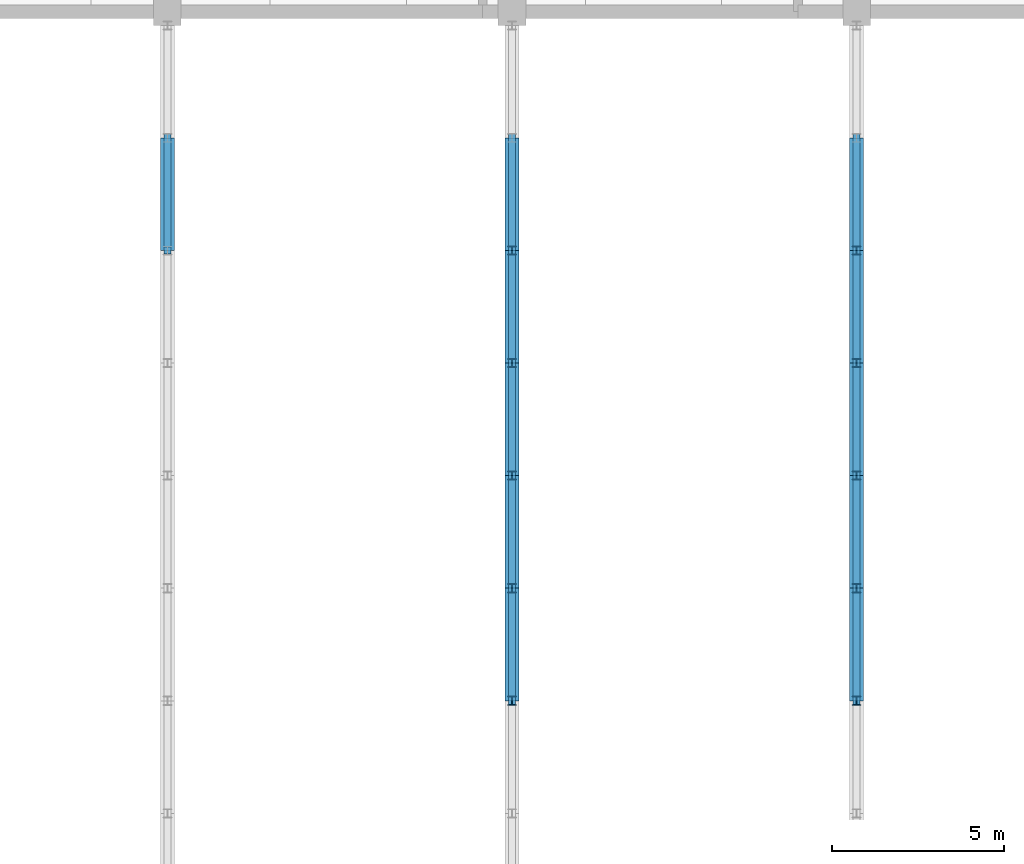
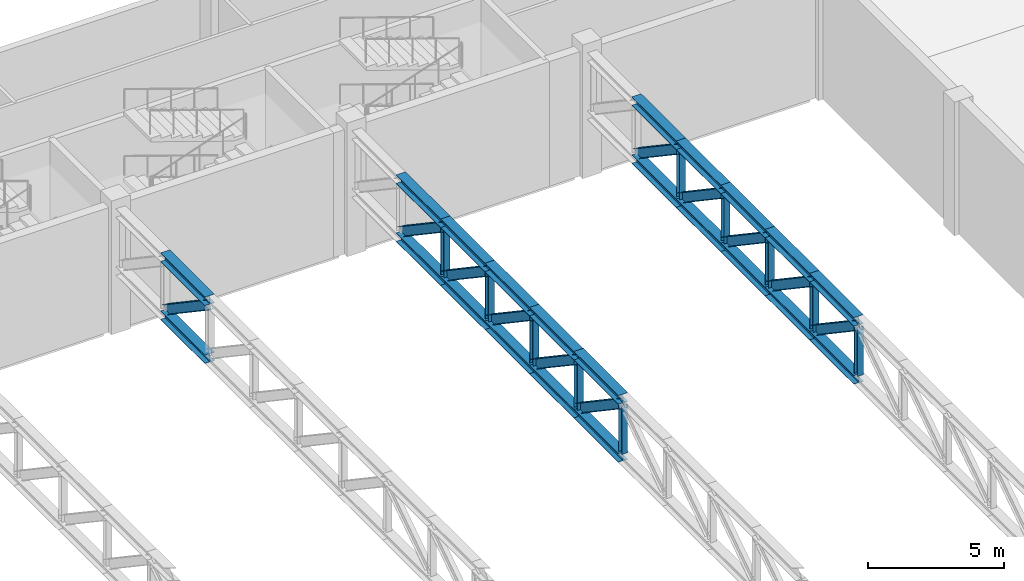
# One storey, part 20 of 51: 43 members.
"""IFC4 building model written with IfcOpenShell, lengths in metres."""

from ifc_helpers import new_model, si_unit, direction, frame, origin, origin_2d, place, context, subcontext, project, spatial, i_section, extrude, material, material_profile, profile_set, type_object, element, save


model = new_model("IFC4")

# Units and contexts
model_context = context("Model", 3, precision=1e-05, world=origin(), true_north=direction((0.0, 1.0)))
body_context = subcontext(model_context, "Body", "Model", "MODEL_VIEW")
ifc_project = project(units=[si_unit("LENGTHUNIT", "METRE"), si_unit("AREAUNIT", "SQUARE_METRE"), si_unit("VOLUMEUNIT", "CUBIC_METRE"), si_unit("PLANEANGLEUNIT", "RADIAN"), si_unit("MASSUNIT", "GRAM", prefix="KILO")], contexts=[model_context])

# Site, building, storey
site_placement = place(None, origin())
site = spatial("IfcSite", under=ifc_project, at=site_placement, CompositionType="ELEMENT")
building_placement = place(site_placement, origin())
building = spatial("IfcBuilding", under=site, at=building_placement, Name="Jabali Bay Hotel Tower and Convention Centre", CompositionType="ELEMENT")
storey_placement = place(building_placement, frame((0.0, 0.0, 9.0)))
storey = spatial("IfcBuildingStorey", under=building, at=storey_placement, Name="L01", CompositionType="ELEMENT", Elevation=9.0)

# Members
ifc_material = material(Name="Steel Q355B", Category="steel")
ifc_material_profile_1 = material_profile(ifc_material, i_section(OverallWidth=0.39990234375, OverallDepth=0.39990234375, WebThickness=0.012939453125, FlangeThickness=0.02099609375, at=origin_2d()), Name="HW400x400x13x21")
ifc_profile_set_1 = profile_set([ifc_material_profile_1], Name="Steel Q355B")
member_type_1 = type_object("IfcMemberType", Name="CC Floor Truss Chord HW400x400x13x21", PredefinedType="CHORD", material=ifc_profile_set_1)
for number, where, z_axis, x_axis, name in (
    (1, (190.699951171875, 93.066650390625, 5.389892578125), (0.0, 1.0, 0.0), (-1.0, 0.0, 0.0), "CC floor truss F2 top chord 11"),
    (2, (190.699951171875, 93.066650390625, 2.7900390625), (0.0, 1.0, 0.0), (-1.0, 0.0, 0.0), "CC floor truss F2 bottom chord 11"),
    (3, (200.699951171875, 80.0, 5.389892578125), (0.0, 1.0, 0.0), (-1.0, 0.0, 0.0), "CC floor truss F3 top chord 7"),
    (4, (200.699951171875, 80.0, 2.7900390625), (0.0, 1.0, 0.0), (-1.0, 0.0, 0.0), "CC floor truss F3 bottom chord 7"),
):
    element("IfcMember", number, at=place(storey_placement, frame(where, z_axis=z_axis, x_axis=x_axis)), inside=storey, type_object=member_type_1, Name=name, PredefinedType="CHORD", context=body_context, shape_type="SweptSolid", body=[
        extrude(i_section(OverallWidth=0.39990234375, OverallDepth=0.39990234375, WebThickness=0.012939453125, FlangeThickness=0.02099609375, at=origin_2d()), origin(), (0.0, 0.0, 1.0), 3.2666015625),
    ])
for number, where, z_axis, x_axis, name in (
    (5, (200.699951171875, 83.2666015625, 5.389892578125), (0.0, 1.0, 0.0), (-1.0, 0.0, 0.0), "CC floor truss F3 top chord 8"),
    (6, (200.699951171875, 83.2666015625, 2.7900390625), (0.0, 1.0, 0.0), (-1.0, 0.0, 0.0), "CC floor truss F3 bottom chord 8"),
):
    element("IfcMember", number, at=place(storey_placement, frame(where, z_axis=z_axis, x_axis=x_axis)), inside=storey, type_object=member_type_1, Name=name, PredefinedType="CHORD", context=body_context, shape_type="SweptSolid", body=[
        extrude(i_section(OverallWidth=0.39990234375, OverallDepth=0.39990234375, WebThickness=0.012939453125, FlangeThickness=0.02099609375, at=origin_2d()), origin(), (0.0, 0.0, 1.0), 3.266845703125),
    ])
for number, where, z_axis, x_axis, name in (
    (7, (200.699951171875, 86.533447265625, 5.389892578125), (0.0, 1.0, 0.0), (-1.0, 0.0, 0.0), "CC floor truss F3 top chord 9"),
    (8, (200.699951171875, 86.533447265625, 2.7900390625), (0.0, 1.0, 0.0), (-1.0, 0.0, 0.0), "CC floor truss F3 bottom chord 9"),
    (9, (200.699951171875, 89.800048828125, 5.389892578125), (0.0, 1.0, 0.0), (-1.0, 0.0, 0.0), "CC floor truss F3 top chord 10"),
    (10, (200.699951171875, 89.800048828125, 2.7900390625), (0.0, 1.0, 0.0), (-1.0, 0.0, 0.0), "CC floor truss F3 bottom chord 10"),
    (11, (200.699951171875, 93.066650390625, 5.389892578125), (0.0, 1.0, 0.0), (-1.0, 0.0, 0.0), "CC floor truss F3 top chord 11"),
    (12, (200.699951171875, 93.066650390625, 2.7900390625), (0.0, 1.0, 0.0), (-1.0, 0.0, 0.0), "CC floor truss F3 bottom chord 11"),
    (13, (210.699951171875, 80.0, 5.389892578125), (0.0, 1.0, 0.0), (-1.0, 0.0, 0.0), "CC floor truss F4 top chord 7"),
    (14, (210.699951171875, 80.0, 2.7900390625), (0.0, 1.0, 0.0), (-1.0, 0.0, 0.0), "CC floor truss F4 bottom chord 7"),
):
    element("IfcMember", number, at=place(storey_placement, frame(where, z_axis=z_axis, x_axis=x_axis)), inside=storey, type_object=member_type_1, Name=name, PredefinedType="CHORD", context=body_context, shape_type="SweptSolid", body=[
        extrude(i_section(OverallWidth=0.39990234375, OverallDepth=0.39990234375, WebThickness=0.012939453125, FlangeThickness=0.02099609375, at=origin_2d()), origin(), (0.0, 0.0, 1.0), 3.2666015625),
    ])
for number, where, z_axis, x_axis, name in (
    (15, (210.699951171875, 83.2666015625, 5.389892578125), (0.0, 1.0, 0.0), (-1.0, 0.0, 0.0), "CC floor truss F4 top chord 8"),
    (16, (210.699951171875, 83.2666015625, 2.7900390625), (0.0, 1.0, 0.0), (-1.0, 0.0, 0.0), "CC floor truss F4 bottom chord 8"),
):
    element("IfcMember", number, at=place(storey_placement, frame(where, z_axis=z_axis, x_axis=x_axis)), inside=storey, type_object=member_type_1, Name=name, PredefinedType="CHORD", context=body_context, shape_type="SweptSolid", body=[
        extrude(i_section(OverallWidth=0.39990234375, OverallDepth=0.39990234375, WebThickness=0.012939453125, FlangeThickness=0.02099609375, at=origin_2d()), origin(), (0.0, 0.0, 1.0), 3.266845703125),
    ])
for number, where, z_axis, x_axis, name in (
    (17, (210.699951171875, 86.533447265625, 5.389892578125), (0.0, 1.0, 0.0), (-1.0, 0.0, 0.0), "CC floor truss F4 top chord 9"),
    (18, (210.699951171875, 86.533447265625, 2.7900390625), (0.0, 1.0, 0.0), (-1.0, 0.0, 0.0), "CC floor truss F4 bottom chord 9"),
    (19, (210.699951171875, 89.800048828125, 5.389892578125), (0.0, 1.0, 0.0), (-1.0, 0.0, 0.0), "CC floor truss F4 top chord 10"),
    (20, (210.699951171875, 89.800048828125, 2.7900390625), (0.0, 1.0, 0.0), (-1.0, 0.0, 0.0), "CC floor truss F4 bottom chord 10"),
    (21, (210.699951171875, 93.066650390625, 5.389892578125), (0.0, 1.0, 0.0), (-1.0, 0.0, 0.0), "CC floor truss F4 top chord 11"),
    (22, (210.699951171875, 93.066650390625, 2.7900390625), (0.0, 1.0, 0.0), (-1.0, 0.0, 0.0), "CC floor truss F4 bottom chord 11"),
):
    element("IfcMember", number, at=place(storey_placement, frame(where, z_axis=z_axis, x_axis=x_axis)), inside=storey, type_object=member_type_1, Name=name, PredefinedType="CHORD", context=body_context, shape_type="SweptSolid", body=[
        extrude(i_section(OverallWidth=0.39990234375, OverallDepth=0.39990234375, WebThickness=0.012939453125, FlangeThickness=0.02099609375, at=origin_2d()), origin(), (0.0, 0.0, 1.0), 3.2666015625),
    ])
ifc_material_profile_2 = material_profile(ifc_material, i_section(OverallWidth=0.199951171875, OverallDepth=0.39990234375, WebThickness=0.008056640625, FlangeThickness=0.012939453125, at=origin_2d()), Name="HN400x200x8x13")
ifc_profile_set_2 = profile_set([ifc_material_profile_2], Name="Steel Q355B")
member_type_2 = type_object("IfcMemberType", Name="CC Floor Truss Diagonal HN400x200x8x13", PredefinedType="BRACE", material=ifc_profile_set_2)
for number, where, z_axis, x_axis, name in (
    (23, (190.699951171875, 96.333251953125, 2.989990234375), (0.0, -0.829437513265, 0.55859950912), (1.0, 0.0, 0.0), "CC floor truss F2 diagonal 11"),
    (24, (200.699951171875, 83.2666015625, 2.989990234375), (0.0, -0.829437513265, 0.55859950912), (1.0, 0.0, 0.0), "CC floor truss F3 diagonal 7"),
):
    element("IfcMember", number, at=place(storey_placement, frame(where, z_axis=z_axis, x_axis=x_axis)), inside=storey, type_object=member_type_2, Name=name, PredefinedType="BRACE", context=body_context, shape_type="SweptSolid", body=[
        extrude(i_section(OverallWidth=0.199951171875, OverallDepth=0.39990234375, WebThickness=0.008056640625, FlangeThickness=0.012939453125, at=origin_2d()), origin(), (0.0, 0.0, 1.0), 3.938232421875),
    ])
member_1_placement = place(storey_placement, frame((200.699951171875, 86.533447265625, 2.989990234375), z_axis=(0.0, -0.829456854988, 0.558570788453), x_axis=(1.0, 0.0, 0.0)))
element("IfcMember", 25, at=member_1_placement, inside=storey, type_object=member_type_2, Name="CC floor truss F3 diagonal 8", PredefinedType="BRACE", context=body_context, shape_type="SweptSolid", body=[
    extrude(i_section(OverallWidth=0.199951171875, OverallDepth=0.39990234375, WebThickness=0.008056640625, FlangeThickness=0.012939453125, at=origin_2d()), origin(), (0.0, 0.0, 1.0), 3.9384765625),
])
for number, where, z_axis, x_axis, name in (
    (26, (200.699951171875, 89.800048828125, 2.989990234375), (0.0, -0.829437513265, 0.55859950912), (1.0, 0.0, 0.0), "CC floor truss F3 diagonal 9"),
    (27, (200.699951171875, 93.066650390625, 2.989990234375), (0.0, -0.829437513265, 0.55859950912), (1.0, 0.0, 0.0), "CC floor truss F3 diagonal 10"),
    (28, (200.699951171875, 96.333251953125, 2.989990234375), (0.0, -0.829437513265, 0.55859950912), (1.0, 0.0, 0.0), "CC floor truss F3 diagonal 11"),
    (29, (210.699951171875, 83.2666015625, 2.989990234375), (0.0, -0.829437513265, 0.55859950912), (1.0, 0.0, 0.0), "CC floor truss F4 diagonal 7"),
):
    element("IfcMember", number, at=place(storey_placement, frame(where, z_axis=z_axis, x_axis=x_axis)), inside=storey, type_object=member_type_2, Name=name, PredefinedType="BRACE", context=body_context, shape_type="SweptSolid", body=[
        extrude(i_section(OverallWidth=0.199951171875, OverallDepth=0.39990234375, WebThickness=0.008056640625, FlangeThickness=0.012939453125, at=origin_2d()), origin(), (0.0, 0.0, 1.0), 3.938232421875),
    ])
member_2_placement = place(storey_placement, frame((210.699951171875, 86.533447265625, 2.989990234375), z_axis=(0.0, -0.829456854988, 0.558570788453), x_axis=(1.0, 0.0, 0.0)))
element("IfcMember", 30, at=member_2_placement, inside=storey, type_object=member_type_2, Name="CC floor truss F4 diagonal 8", PredefinedType="BRACE", context=body_context, shape_type="SweptSolid", body=[
    extrude(i_section(OverallWidth=0.199951171875, OverallDepth=0.39990234375, WebThickness=0.008056640625, FlangeThickness=0.012939453125, at=origin_2d()), origin(), (0.0, 0.0, 1.0), 3.9384765625),
])
for number, where, z_axis, x_axis, name in (
    (31, (210.699951171875, 89.800048828125, 2.989990234375), (0.0, -0.829437513265, 0.55859950912), (1.0, 0.0, 0.0), "CC floor truss F4 diagonal 9"),
    (32, (210.699951171875, 93.066650390625, 2.989990234375), (0.0, -0.829437513265, 0.55859950912), (1.0, 0.0, 0.0), "CC floor truss F4 diagonal 10"),
    (33, (210.699951171875, 96.333251953125, 2.989990234375), (0.0, -0.829437513265, 0.55859950912), (1.0, 0.0, 0.0), "CC floor truss F4 diagonal 11"),
):
    element("IfcMember", number, at=place(storey_placement, frame(where, z_axis=z_axis, x_axis=x_axis)), inside=storey, type_object=member_type_2, Name=name, PredefinedType="BRACE", context=body_context, shape_type="SweptSolid", body=[
        extrude(i_section(OverallWidth=0.199951171875, OverallDepth=0.39990234375, WebThickness=0.008056640625, FlangeThickness=0.012939453125, at=origin_2d()), origin(), (0.0, 0.0, 1.0), 3.938232421875),
    ])
ifc_material_profile_3 = material_profile(ifc_material, i_section(OverallWidth=0.25, OverallDepth=0.25, WebThickness=0.009033203125, FlangeThickness=0.013916015625, at=origin_2d()), Name="HW250x250x9x14")
ifc_profile_set_3 = profile_set([ifc_material_profile_3], Name="Steel Q355B")
member_type_3 = type_object("IfcMemberType", Name="CC Floor Truss Post HW250x250x9x14", PredefinedType="POST", material=ifc_profile_set_3)
for number, where, z_axis, x_axis, name in (
    (34, (200.699951171875, 80.0, 2.989990234375), (0.0, 0.0, 1.0), (1.0, 0.0, 0.0), "CC floor truss F3 post 7"),
    (35, (200.699951171875, 83.2666015625, 2.989990234375), (0.0, 0.0, 1.0), (1.0, 0.0, 0.0), "CC floor truss F3 post 8"),
    (36, (200.699951171875, 86.533447265625, 2.989990234375), (0.0, 0.0, 1.0), (1.0, 0.0, 0.0), "CC floor truss F3 post 9"),
    (37, (200.699951171875, 89.800048828125, 2.989990234375), (0.0, 0.0, 1.0), (1.0, 0.0, 0.0), "CC floor truss F3 post 10"),
    (38, (200.699951171875, 93.066650390625, 2.989990234375), (0.0, 0.0, 1.0), (1.0, 0.0, 0.0), "CC floor truss F3 post 11"),
    (39, (210.699951171875, 80.0, 2.989990234375), (0.0, 0.0, 1.0), (1.0, 0.0, 0.0), "CC floor truss F4 post 7"),
    (40, (210.699951171875, 83.2666015625, 2.989990234375), (0.0, 0.0, 1.0), (1.0, 0.0, 0.0), "CC floor truss F4 post 8"),
    (41, (210.699951171875, 86.533447265625, 2.989990234375), (0.0, 0.0, 1.0), (1.0, 0.0, 0.0), "CC floor truss F4 post 9"),
    (42, (210.699951171875, 89.800048828125, 2.989990234375), (0.0, 0.0, 1.0), (1.0, 0.0, 0.0), "CC floor truss F4 post 10"),
    (43, (210.699951171875, 93.066650390625, 2.989990234375), (0.0, 0.0, 1.0), (1.0, 0.0, 0.0), "CC floor truss F4 post 11"),
):
    element("IfcMember", number, at=place(storey_placement, frame(where, z_axis=z_axis, x_axis=x_axis)), inside=storey, type_object=member_type_3, Name=name, PredefinedType="POST", context=body_context, shape_type="SweptSolid", body=[
        extrude(i_section(OverallWidth=0.25, OverallDepth=0.25, WebThickness=0.009033203125, FlangeThickness=0.013916015625, at=origin_2d()), origin(), (0.0, 0.0, 1.0), 2.199951171875),
    ])

save(model, "model.ifc")
